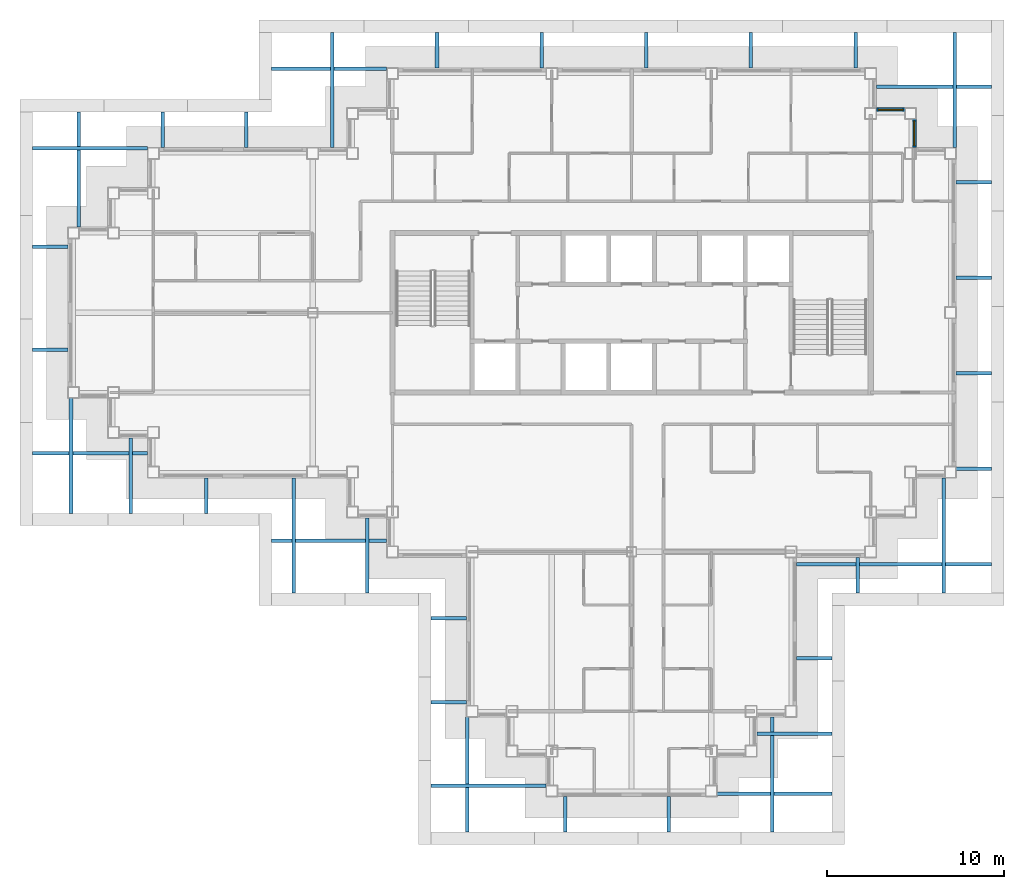
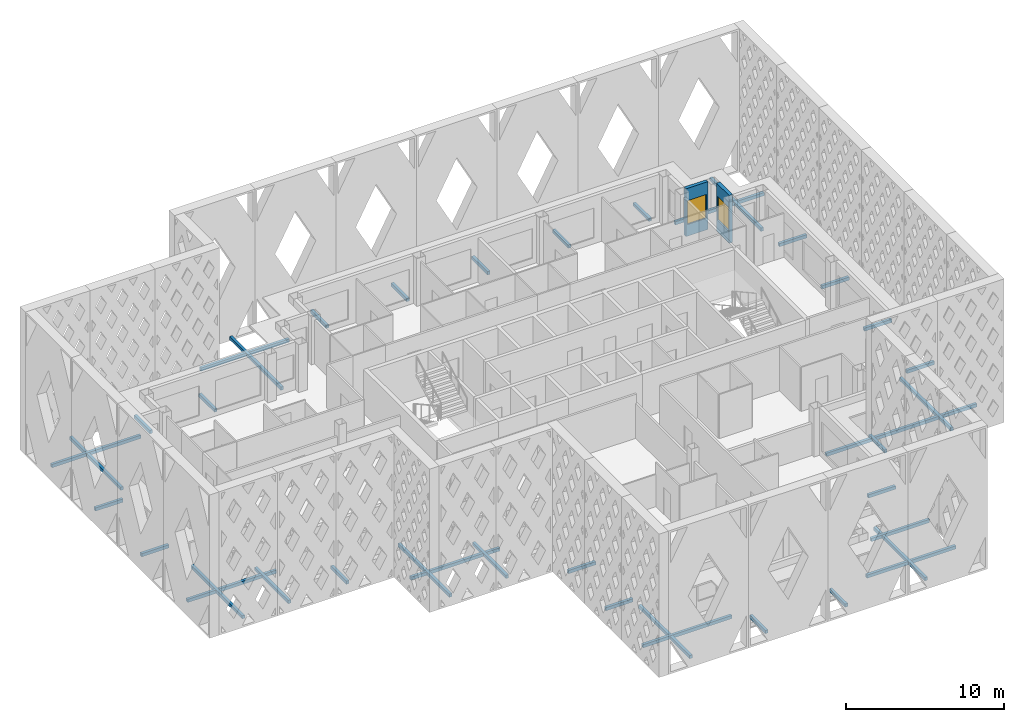
# One storey, part 8 of 17: 39 discrete accessories, 2 walls, 2 windows, 2 openings.
"""IFC4 building model written with IfcOpenShell, lengths in metres."""

from ifc_helpers import new_model, si_unit, direction, frame, frame_2d, origin, origin_2d, place, context, subcontext, project, spatial, rectangle, extrude, material, layer, layer_set, type_object, element, fill, save


model = new_model("IFC4")

# Units and contexts
model_context = context("Model", 3, precision=1e-05, world=origin(), true_north=direction((0.0, 1.0)))
body_context = subcontext(model_context, "Body", "Model", "MODEL_VIEW")
ifc_project = project(units=[si_unit("LENGTHUNIT", "METRE"), si_unit("AREAUNIT", "SQUARE_METRE"), si_unit("VOLUMEUNIT", "CUBIC_METRE"), si_unit("PLANEANGLEUNIT", "RADIAN"), si_unit("MASSUNIT", "GRAM", prefix="KILO")], contexts=[model_context])

# Site, building, storey
site_placement = place(None, origin())
site = spatial("IfcSite", under=ifc_project, at=site_placement, CompositionType="ELEMENT")
building_placement = place(site_placement, origin())
building = spatial("IfcBuilding", under=site, at=building_placement, Name="Caravel Reach Hotel and Residences", CompositionType="ELEMENT")
storey_placement = place(building_placement, frame((0.0, 0.0, 222.0)))
storey = spatial("IfcBuildingStorey", under=building, at=storey_placement, Name="L56", CompositionType="ELEMENT", Elevation=222.0)

# Wall, opening, window
ifc_material_1 = material(Name="Insulated rainscreen wall, aluminium cladding", Category="aluminium")
ifc_layer = layer(ifc_material_1, 0.25)
ifc_layer_set = layer_set([ifc_layer], Name="EW1 Tower rainscreen wall")
wall_type = type_object("IfcWallType", Name="EW1 Tower rainscreen wall", PredefinedType="SOLIDWALL", material=ifc_layer_set)
wall_1_placement = place(storey_placement, frame((47.449951171875, 36.324951171875, 0.0), z_axis=(0.0, 0.0, 1.0), x_axis=(0.0, 1.0, 0.0)))
wall_1 = element("IfcWall", 1, at=wall_1_placement, inside=storey, type_object=wall_type, Name="External wall L56 E8.1", PredefinedType="SOLIDWALL", context=body_context, shape_type="SweptSolid", body=[
    extrude(rectangle(XDim=1.60009765625, YDim=0.25, at=frame_2d((0.800048828125, 0.0))), origin(), (0.0, 0.0, 1.0), 3.699951171875),
])
opening_1_placement = place(wall_1_placement, frame((0.10009765625, 0.0, 0.89990234375)))
opening_1 = element("IfcOpeningElement", 2, at=opening_1_placement, cuts=wall_1, Name="Opening WN22", PredefinedType="OPENING", context=body_context, shape_type="SweptSolid", body=[
    extrude(rectangle(XDim=1.39990234375, YDim=1.85009765625, at=frame_2d((0.699951171875, 0.925048828125))), frame((0.0, 0.135009765625, 0.0), z_axis=(0.0, -1.0, 0.0), x_axis=(1.0, 0.0, 0.0)), (0.0, 0.0, 1.0), 0.27001953125),
])
ifc_material_2 = material(Name="Dark low-e glazing in black aluminium frame", Category="aluminium")
window_type = type_object("IfcWindowType", Name="Residence bedroom window 1400 x 1850", PartitioningType="SINGLE_PANEL", PredefinedType="WINDOW", material=ifc_material_2)
window_1_placement = place(opening_1_placement, origin())
window_1 = element("IfcWindow", 3, at=window_1_placement, inside=storey, type_object=window_type, Name="Window L56 E8.1.1", OverallHeight=1.85009765625, OverallWidth=1.39990234375, PartitioningType="SINGLE_PANEL", PredefinedType="WINDOW", context=body_context, shape_type="SweptSolid", body=[
    extrude(rectangle(XDim=1.39990234375, YDim=1.85009765625, at=frame_2d((0.699951171875, 0.925048828125))), frame((0.0, 0.030029296875, 0.0), z_axis=(0.0, -1.0, 0.0), x_axis=(1.0, 0.0, 0.0)), (0.0, 0.0, 1.0), 0.06005859375),
])
fill(opening_1, window_1)

wall_2_placement = place(storey_placement, frame((46.925048828125, 38.449951171875, 0.0), z_axis=(0.0, 0.0, 1.0), x_axis=(-1.0, 0.0, 0.0)))
wall_2 = element("IfcWall", 4, at=wall_2_placement, inside=storey, type_object=wall_type, Name="External wall L56 N9.1", PredefinedType="SOLIDWALL", context=body_context, shape_type="SweptSolid", body=[
    extrude(rectangle(XDim=1.60009765625, YDim=0.25, at=frame_2d((0.800048828125, 0.0))), origin(), (0.0, 0.0, 1.0), 3.699951171875),
])
opening_2_placement = place(wall_2_placement, frame((0.10009765625, 0.0, 0.89990234375)))
opening_2 = element("IfcOpeningElement", 5, at=opening_2_placement, cuts=wall_2, Name="Opening WN22", PredefinedType="OPENING", context=body_context, shape_type="SweptSolid", body=[
    extrude(rectangle(XDim=1.39990234375, YDim=1.85009765625, at=frame_2d((0.699951171875, 0.925048828125))), frame((0.0, 0.135009765625, 0.0), z_axis=(0.0, -1.0, 0.0), x_axis=(1.0, 0.0, 0.0)), (0.0, 0.0, 1.0), 0.27001953125),
])
window_2_placement = place(opening_2_placement, origin())
window_2 = element("IfcWindow", 6, at=window_2_placement, inside=storey, type_object=window_type, Name="Window L56 N9.1.1", OverallHeight=1.85009765625, OverallWidth=1.39990234375, PartitioningType="SINGLE_PANEL", PredefinedType="WINDOW", context=body_context, shape_type="SweptSolid", body=[
    extrude(rectangle(XDim=1.39990234375, YDim=1.85009765625, at=frame_2d((0.699951171875, 0.925048828125))), frame((0.0, 0.030029296875, 0.0), z_axis=(0.0, -1.0, 0.0), x_axis=(1.0, 0.0, 0.0)), (0.0, 0.0, 1.0), 0.06005859375),
])
fill(opening_2, window_2)

# Discrete accessories
ifc_material_3 = material(Name="Black powder-coated aluminium", Category="aluminium")
discrete_accessory_type = type_object("IfcDiscreteAccessoryType", Name="BR1 Screen bracket", PredefinedType="BRACKET", material=ifc_material_3)
discrete_accessory_1_placement = place(storey_placement, frame((39.574951171875, -0.14501953125, 0.10009765625), z_axis=(0.0, 0.0, 1.0), x_axis=(1.0, 0.0, 0.0)))
element("IfcDiscreteAccessory", 7, at=discrete_accessory_1_placement, inside=storey, type_object=discrete_accessory_type, Name="Screen bracket L56 1.1.1", PredefinedType="BRACKET", context=body_context, shape_type="SweptSolid", body=[
    extrude(rectangle(XDim=6.5, YDim=0.199951171875, at=origin_2d()), origin(), (0.0, 0.0, 1.0), 0.25),
])
discrete_accessory_2_placement = place(storey_placement, frame((40.699951171875, 3.2216796875, 0.10009765625), z_axis=(0.0, 0.0, 1.0), x_axis=(1.0, 0.0, 0.0)))
element("IfcDiscreteAccessory", 8, at=discrete_accessory_2_placement, inside=storey, type_object=discrete_accessory_type, Name="Screen bracket L56 1.2.1", PredefinedType="BRACKET", context=body_context, shape_type="SweptSolid", body=[
    extrude(rectangle(XDim=4.25, YDim=0.199951171875, at=origin_2d()), origin(), (0.0, 0.0, 1.0), 0.25),
])
for number, where, z_axis, x_axis, name in (
    (9, (41.824951171875, 7.48828125, 0.10009765625), (0.0, 0.0, 1.0), (1.0, 0.0, 0.0), "Screen bracket L56 1.3.1"),
    (10, (44.280029296875, 12.175048828125, 0.10009765625), (0.0, 0.0, 1.0), (0.0, -1.0, 0.0), "Screen bracket L56 2.1.1"),
):
    element("IfcDiscreteAccessory", number, at=place(storey_placement, frame(where, z_axis=z_axis, x_axis=x_axis)), inside=storey, type_object=discrete_accessory_type, Name=name, PredefinedType="BRACKET", context=body_context, shape_type="SweptSolid", body=[
        extrude(rectangle(XDim=2.0, YDim=0.199951171875, at=origin_2d()), origin(), (0.0, 0.0, 1.0), 0.25),
    ])
discrete_accessory_3_placement = place(storey_placement, frame((49.1298828125, 14.425048828125, 0.10009765625), z_axis=(0.0, 0.0, 1.0), x_axis=(0.0, -1.0, 0.0)))
element("IfcDiscreteAccessory", 11, at=discrete_accessory_3_placement, inside=storey, type_object=discrete_accessory_type, Name="Screen bracket L56 2.2.1", PredefinedType="BRACKET", context=body_context, shape_type="SweptSolid", body=[
    extrude(rectangle(XDim=6.5, YDim=0.199951171875, at=origin_2d()), origin(), (0.0, 0.0, 1.0), 0.25),
])
discrete_accessory_4_placement = place(storey_placement, frame((46.324951171875, 12.79248046875, 0.10009765625), z_axis=(0.0, 0.0, 1.0), x_axis=(1.0, 0.0, 0.0)))
element("IfcDiscreteAccessory", 12, at=discrete_accessory_4_placement, inside=storey, type_object=discrete_accessory_type, Name="Screen bracket L56 3.1.1", PredefinedType="BRACKET", context=body_context, shape_type="SweptSolid", body=[
    extrude(rectangle(XDim=11.0, YDim=0.199951171875, at=origin_2d()), origin(), (0.0, 0.0, 1.0), 0.25),
])
for number, where, z_axis, x_axis, name in (
    (13, (50.824951171875, 18.18408203125, 0.10009765625), (0.0, 0.0, 1.0), (1.0, 0.0, 0.0), "Screen bracket L56 3.2.1"),
    (14, (50.824951171875, 23.575927734375, 0.10009765625), (0.0, 0.0, 1.0), (1.0, 0.0, 0.0), "Screen bracket L56 3.3.1"),
    (15, (50.824951171875, 28.967529296875, 0.10009765625), (0.0, 0.0, 1.0), (1.0, 0.0, 0.0), "Screen bracket L56 3.4.1"),
    (16, (50.824951171875, 34.359130859375, 0.10009765625), (0.0, 0.0, 1.0), (1.0, 0.0, 0.0), "Screen bracket L56 3.5.1"),
):
    element("IfcDiscreteAccessory", number, at=place(storey_placement, frame(where, z_axis=z_axis, x_axis=x_axis)), inside=storey, type_object=discrete_accessory_type, Name=name, PredefinedType="BRACKET", context=body_context, shape_type="SweptSolid", body=[
        extrude(rectangle(XDim=2.0, YDim=0.199951171875, at=origin_2d()), origin(), (0.0, 0.0, 1.0), 0.25),
    ])
for number, where, z_axis, x_axis, name in (
    (17, (48.574951171875, 39.750732421875, 0.10009765625), (0.0, 0.0, 1.0), (1.0, 0.0, 0.0), "Screen bracket L56 3.6.1"),
    (18, (49.7529296875, 39.574951171875, 0.10009765625), (0.0, 0.0, 1.0), (0.0, 1.0, 0.0), "Screen bracket L56 4.1.1"),
):
    element("IfcDiscreteAccessory", number, at=place(storey_placement, frame(where, z_axis=z_axis, x_axis=x_axis)), inside=storey, type_object=discrete_accessory_type, Name=name, PredefinedType="BRACKET", context=body_context, shape_type="SweptSolid", body=[
        extrude(rectangle(XDim=6.5, YDim=0.199951171875, at=origin_2d()), origin(), (0.0, 0.0, 1.0), 0.25),
    ])
for number, where, z_axis, x_axis, name in (
    (19, (44.145751953125, 41.824951171875, 0.10009765625), (0.0, 0.0, 1.0), (0.0, 1.0, 0.0), "Screen bracket L56 4.2.1"),
    (20, (38.238525390625, 41.824951171875, 0.10009765625), (0.0, 0.0, 1.0), (0.0, 1.0, 0.0), "Screen bracket L56 4.3.1"),
    (21, (32.33154296875, 41.824951171875, 0.10009765625), (0.0, 0.0, 1.0), (0.0, 1.0, 0.0), "Screen bracket L56 4.4.1"),
    (22, (26.42431640625, 41.824951171875, 0.10009765625), (0.0, 0.0, 1.0), (0.0, 1.0, 0.0), "Screen bracket L56 4.5.1"),
    (23, (20.51708984375, 41.824951171875, 0.10009765625), (0.0, 0.0, 1.0), (0.0, 1.0, 0.0), "Screen bracket L56 4.6.1"),
):
    element("IfcDiscreteAccessory", number, at=place(storey_placement, frame(where, z_axis=z_axis, x_axis=x_axis)), inside=storey, type_object=discrete_accessory_type, Name=name, PredefinedType="BRACKET", context=body_context, shape_type="SweptSolid", body=[
        extrude(rectangle(XDim=2.0, YDim=0.199951171875, at=origin_2d()), origin(), (0.0, 0.0, 1.0), 0.25),
    ])
for number, where, z_axis, x_axis, name in (
    (24, (14.610107421875, 39.574951171875, 0.10009765625), (0.0, 0.0, 1.0), (0.0, 1.0, 0.0), "Screen bracket L56 4.7.1"),
    (25, (14.425048828125, 40.784912109375, 0.10009765625), (0.0, 0.0, 1.0), (-1.0, 0.0, 0.0), "Screen bracket L56 5.1.1"),
):
    element("IfcDiscreteAccessory", number, at=place(storey_placement, frame(where, z_axis=z_axis, x_axis=x_axis)), inside=storey, type_object=discrete_accessory_type, Name=name, PredefinedType="BRACKET", context=body_context, shape_type="SweptSolid", body=[
        extrude(rectangle(XDim=6.5, YDim=0.199951171875, at=origin_2d()), origin(), (0.0, 0.0, 1.0), 0.25),
    ])
for number, where, z_axis, x_axis, name in (
    (26, (9.7548828125, 37.324951171875, 0.10009765625), (0.0, 0.0, 1.0), (0.0, 1.0, 0.0), "Screen bracket L56 6.1.1"),
    (27, (5.021728515625, 37.324951171875, 0.10009765625), (0.0, 0.0, 1.0), (0.0, 1.0, 0.0), "Screen bracket L56 6.2.1"),
):
    element("IfcDiscreteAccessory", number, at=place(storey_placement, frame(where, z_axis=z_axis, x_axis=x_axis)), inside=storey, type_object=discrete_accessory_type, Name=name, PredefinedType="BRACKET", context=body_context, shape_type="SweptSolid", body=[
        extrude(rectangle(XDim=2.0, YDim=0.199951171875, at=origin_2d()), origin(), (0.0, 0.0, 1.0), 0.25),
    ])
for number, where, z_axis, x_axis, name in (
    (28, (0.288330078125, 35.074951171875, 0.10009765625), (0.0, 0.0, 1.0), (0.0, 1.0, 0.0), "Screen bracket L56 6.3.1"),
    (29, (0.925048828125, 36.273681640625, 0.10009765625), (0.0, 0.0, 1.0), (-1.0, 0.0, 0.0), "Screen bracket L56 7.1.1"),
):
    element("IfcDiscreteAccessory", number, at=place(storey_placement, frame(where, z_axis=z_axis, x_axis=x_axis)), inside=storey, type_object=discrete_accessory_type, Name=name, PredefinedType="BRACKET", context=body_context, shape_type="SweptSolid", body=[
        extrude(rectangle(XDim=6.5, YDim=0.199951171875, at=origin_2d()), origin(), (0.0, 0.0, 1.0), 0.25),
    ])
for number, where, z_axis, x_axis, name in (
    (30, (-1.324951171875, 30.736328125, 0.10009765625), (0.0, 0.0, 1.0), (-1.0, 0.0, 0.0), "Screen bracket L56 7.2.1"),
    (31, (-1.324951171875, 24.898681640625, 0.10009765625), (0.0, 0.0, 1.0), (-1.0, 0.0, 0.0), "Screen bracket L56 7.3.1"),
):
    element("IfcDiscreteAccessory", number, at=place(storey_placement, frame(where, z_axis=z_axis, x_axis=x_axis)), inside=storey, type_object=discrete_accessory_type, Name=name, PredefinedType="BRACKET", context=body_context, shape_type="SweptSolid", body=[
        extrude(rectangle(XDim=2.0, YDim=0.199951171875, at=origin_2d()), origin(), (0.0, 0.0, 1.0), 0.25),
    ])
for number, where, z_axis, x_axis, name in (
    (32, (0.925048828125, 19.061279296875, 0.10009765625), (0.0, 0.0, 1.0), (-1.0, 0.0, 0.0), "Screen bracket L56 7.4.1"),
    (33, (-0.14501953125, 18.925048828125, 0.10009765625), (0.0, 0.0, 1.0), (0.0, -1.0, 0.0), "Screen bracket L56 8.1.1"),
):
    element("IfcDiscreteAccessory", number, at=place(storey_placement, frame(where, z_axis=z_axis, x_axis=x_axis)), inside=storey, type_object=discrete_accessory_type, Name=name, PredefinedType="BRACKET", context=body_context, shape_type="SweptSolid", body=[
        extrude(rectangle(XDim=6.5, YDim=0.199951171875, at=origin_2d()), origin(), (0.0, 0.0, 1.0), 0.25),
    ])
discrete_accessory_5_placement = place(storey_placement, frame((3.2216796875, 17.800048828125, 0.10009765625), z_axis=(0.0, 0.0, 1.0), x_axis=(0.0, -1.0, 0.0)))
element("IfcDiscreteAccessory", 34, at=discrete_accessory_5_placement, inside=storey, type_object=discrete_accessory_type, Name="Screen bracket L56 8.2.1", PredefinedType="BRACKET", context=body_context, shape_type="SweptSolid", body=[
    extrude(rectangle(XDim=4.25, YDim=0.199951171875, at=origin_2d()), origin(), (0.0, 0.0, 1.0), 0.25),
])
discrete_accessory_6_placement = place(storey_placement, frame((7.48828125, 16.675048828125, 0.10009765625), z_axis=(0.0, 0.0, 1.0), x_axis=(0.0, -1.0, 0.0)))
element("IfcDiscreteAccessory", 35, at=discrete_accessory_6_placement, inside=storey, type_object=discrete_accessory_type, Name="Screen bracket L56 8.3.1", PredefinedType="BRACKET", context=body_context, shape_type="SweptSolid", body=[
    extrude(rectangle(XDim=2.0, YDim=0.199951171875, at=origin_2d()), origin(), (0.0, 0.0, 1.0), 0.25),
])
for number, where, z_axis, x_axis, name in (
    (36, (14.425048828125, 14.114990234375, 0.10009765625), (0.0, 0.0, 1.0), (-1.0, 0.0, 0.0), "Screen bracket L56 9.1.1"),
    (37, (12.419921875, 14.425048828125, 0.10009765625), (0.0, 0.0, 1.0), (0.0, -1.0, 0.0), "Screen bracket L56 10.1.1"),
):
    element("IfcDiscreteAccessory", number, at=place(storey_placement, frame(where, z_axis=z_axis, x_axis=x_axis)), inside=storey, type_object=discrete_accessory_type, Name=name, PredefinedType="BRACKET", context=body_context, shape_type="SweptSolid", body=[
        extrude(rectangle(XDim=6.5, YDim=0.199951171875, at=origin_2d()), origin(), (0.0, 0.0, 1.0), 0.25),
    ])
discrete_accessory_7_placement = place(storey_placement, frame((16.570068359375, 13.300048828125, 0.10009765625), z_axis=(0.0, 0.0, 1.0), x_axis=(0.0, -1.0, 0.0)))
element("IfcDiscreteAccessory", 38, at=discrete_accessory_7_placement, inside=storey, type_object=discrete_accessory_type, Name="Screen bracket L56 10.2.1", PredefinedType="BRACKET", context=body_context, shape_type="SweptSolid", body=[
    extrude(rectangle(XDim=4.25, YDim=0.199951171875, at=origin_2d()), origin(), (0.0, 0.0, 1.0), 0.25),
])
for number, where, z_axis, x_axis, name in (
    (39, (21.175048828125, 9.7548828125, 0.10009765625), (0.0, 0.0, 1.0), (-1.0, 0.0, 0.0), "Screen bracket L56 11.1.1"),
    (40, (21.175048828125, 5.021728515625, 0.10009765625), (0.0, 0.0, 1.0), (-1.0, 0.0, 0.0), "Screen bracket L56 11.2.1"),
):
    element("IfcDiscreteAccessory", number, at=place(storey_placement, frame(where, z_axis=z_axis, x_axis=x_axis)), inside=storey, type_object=discrete_accessory_type, Name=name, PredefinedType="BRACKET", context=body_context, shape_type="SweptSolid", body=[
        extrude(rectangle(XDim=2.0, YDim=0.199951171875, at=origin_2d()), origin(), (0.0, 0.0, 1.0), 0.25),
    ])
for number, where, z_axis, x_axis, name in (
    (41, (23.425048828125, 0.288330078125, 0.10009765625), (0.0, 0.0, 1.0), (-1.0, 0.0, 0.0), "Screen bracket L56 11.3.1"),
    (42, (22.226318359375, 0.925048828125, 0.10009765625), (0.0, 0.0, 1.0), (0.0, -1.0, 0.0), "Screen bracket L56 12.1.1"),
):
    element("IfcDiscreteAccessory", number, at=place(storey_placement, frame(where, z_axis=z_axis, x_axis=x_axis)), inside=storey, type_object=discrete_accessory_type, Name=name, PredefinedType="BRACKET", context=body_context, shape_type="SweptSolid", body=[
        extrude(rectangle(XDim=6.5, YDim=0.199951171875, at=origin_2d()), origin(), (0.0, 0.0, 1.0), 0.25),
    ])
for number, where, z_axis, x_axis, name in (
    (43, (27.763671875, -1.324951171875, 0.10009765625), (0.0, 0.0, 1.0), (0.0, -1.0, 0.0), "Screen bracket L56 12.2.1"),
    (44, (33.601318359375, -1.324951171875, 0.10009765625), (0.0, 0.0, 1.0), (0.0, -1.0, 0.0), "Screen bracket L56 12.3.1"),
):
    element("IfcDiscreteAccessory", number, at=place(storey_placement, frame(where, z_axis=z_axis, x_axis=x_axis)), inside=storey, type_object=discrete_accessory_type, Name=name, PredefinedType="BRACKET", context=body_context, shape_type="SweptSolid", body=[
        extrude(rectangle(XDim=2.0, YDim=0.199951171875, at=origin_2d()), origin(), (0.0, 0.0, 1.0), 0.25),
    ])
discrete_accessory_8_placement = place(storey_placement, frame((39.438720703125, 0.925048828125, 0.10009765625), z_axis=(0.0, 0.0, 1.0), x_axis=(0.0, -1.0, 0.0)))
element("IfcDiscreteAccessory", 45, at=discrete_accessory_8_placement, inside=storey, type_object=discrete_accessory_type, Name="Screen bracket L56 12.4.1", PredefinedType="BRACKET", context=body_context, shape_type="SweptSolid", body=[
    extrude(rectangle(XDim=6.5, YDim=0.199951171875, at=origin_2d()), origin(), (0.0, 0.0, 1.0), 0.25),
])

save(model, "model.ifc")
